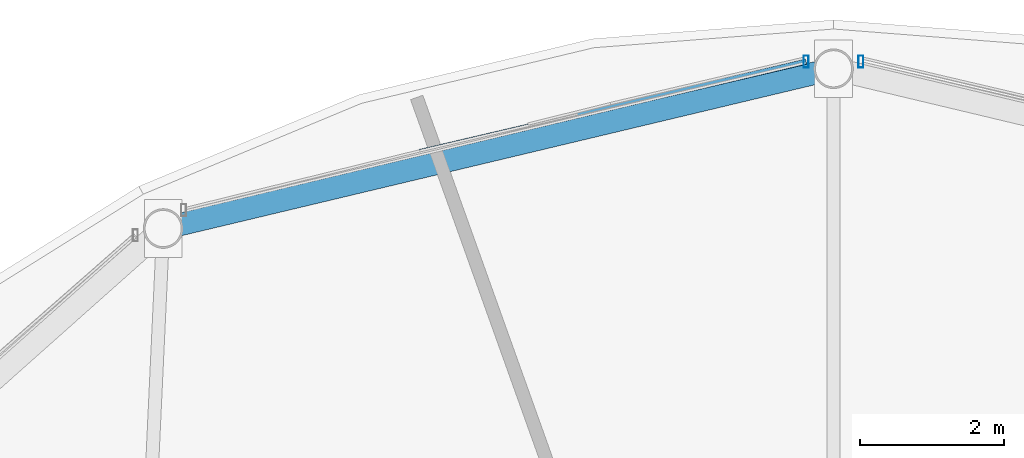
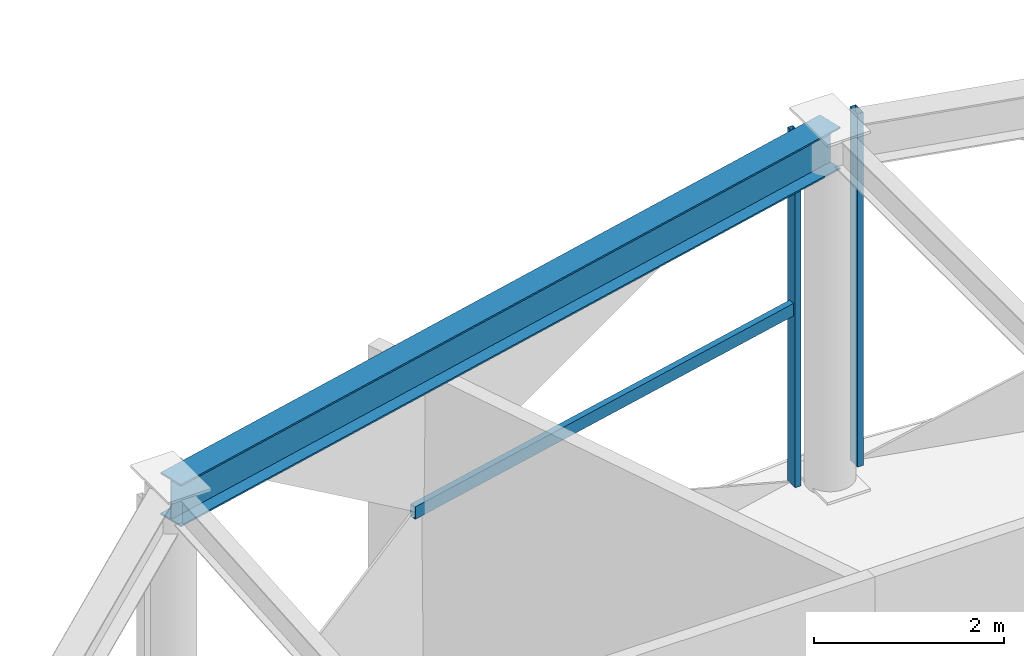
# One storey, part 14 of 22: 3 members, 1 beam, 2 elements without a shape of their own.
"""IFC4 building model written with IfcOpenShell, lengths in metres."""

from ifc_helpers import new_model, si_unit, direction, frame, origin, origin_2d, place, context, subcontext, project, spatial, hollow_rectangle, i_section, extrude, material, layer, layer_set, material_profile, profile_set, type_object, element, aggregate, save


model = new_model("IFC4")

# Units and contexts
model_context = context("Model", 3, precision=1e-05, world=origin(), true_north=direction((0.0, 1.0)))
body_context = subcontext(model_context, "Body", "Model", "MODEL_VIEW")
ifc_project = project(units=[si_unit("LENGTHUNIT", "METRE"), si_unit("AREAUNIT", "SQUARE_METRE"), si_unit("VOLUMEUNIT", "CUBIC_METRE"), si_unit("PLANEANGLEUNIT", "RADIAN"), si_unit("MASSUNIT", "GRAM", prefix="KILO")], contexts=[model_context])

# Site, building, storey
site_placement = place(None, origin())
site = spatial("IfcSite", under=ifc_project, at=site_placement, CompositionType="ELEMENT")
building_placement = place(site_placement, origin())
building = spatial("IfcBuilding", under=site, at=building_placement, Name="Vantalir Tower", CompositionType="ELEMENT")
storey_placement = place(building_placement, frame((0.0, 0.0, 294.89990234375)))
storey = spatial("IfcBuildingStorey", under=building, at=storey_placement, Name="L74", CompositionType="ELEMENT", Elevation=294.89990234375)

# Beam
ifc_material_1 = material(Name="Steel S460", Category="steel")
ifc_material_profile_1 = material_profile(ifc_material_1, i_section(OverallWidth=0.31201171875, OverallDepth=0.5419921875, WebThickness=0.0126953125, FlangeThickness=0.020263671875, at=origin_2d()), Name="Steel S460")
ifc_profile_set_1 = profile_set([ifc_material_profile_1], Name="Steel S460")
beam_type = type_object("IfcBeamType", Name="BM-RG-533x312", PredefinedType="USERDEFINED", material=ifc_profile_set_1)
beam_placement = place(storey_placement, frame((31.5, 41.511962890625, 4.34912109375), z_axis=(-0.972749896139, -0.231856937703, 0.0), x_axis=(0.231856937703, -0.972749896139, 0.0)))
element("IfcBeam", 1, at=beam_placement, inside=storey, type_object=beam_type, Name="L74 Circumferential Ring Girder 04", ObjectType="GIRDER", PredefinedType="USERDEFINED", context=body_context, shape_type="SweptSolid", body=[
    extrude(i_section(OverallWidth=0.31201171875, OverallDepth=0.5419921875, WebThickness=0.0126953125, FlangeThickness=0.020263671875, at=origin_2d()), origin(), (0.0, 0.0, 1.0), 9.5400390625),
])

# Curtain wall, member
ifc_material_2 = material(Name="Champagne-silver PVDF aluminium and double-silver Low-E glass", Category="aluminium")
ifc_layer = layer(ifc_material_2, 0.219970703125)
ifc_layer_set = layer_set([ifc_layer], Name="Champagne-silver PVDF aluminium and double-silver Low-E glass")
curtain_wall_type = type_object("IfcCurtainWallType", Name="CW-DIAMOND-Z4", PredefinedType="USERDEFINED", material=ifc_layer_set)
curtain_wall_1_placement = place(storey_placement, origin())
curtain_wall_1 = element("IfcCurtainWall", 2, at=curtain_wall_1_placement, inside=storey, type_object=curtain_wall_type, Name="L74 Quilted Pyramid-Diamond Curtain Wall S03", ObjectType="UNITISED CURTAIN WALL", PredefinedType="USERDEFINED")
ifc_material_3 = material(Name="Champagne-silver PVDF aluminium 6063-T6", Category="aluminium")
ifc_material_profile_2 = material_profile(ifc_material_3, hollow_rectangle(XDim=0.070068359375, YDim=0.1650390625, WallThickness=0.00390625, at=origin_2d()), Name="Champagne-silver PVDF aluminium 6063-T6")
ifc_profile_set_2 = profile_set([ifc_material_profile_2], Name="Champagne-silver PVDF aluminium 6063-T6")
member_type_1 = type_object("IfcMemberType", Name="CWM-165x70", PredefinedType="MULLION", material=ifc_profile_set_2)
member_1_placement = place(storey_placement, frame((31.87890625, 41.611083984375, 0.045166015625), z_axis=(0.0, 0.0, 1.0), x_axis=(1.0, 0.0, 0.0)))
member_1 = element("IfcMember", 3, at=member_1_placement, type_object=member_type_1, Name="CW-L74-S03 Mullion 2", PredefinedType="MULLION", context=body_context, shape_type="SweptSolid", body=[
    extrude(hollow_rectangle(XDim=0.070068359375, YDim=0.1650390625, WallThickness=0.00390625, at=origin_2d()), origin(), (0.0, 0.0, 1.0), 4.530029296875),
])
aggregate(curtain_wall_1, [member_1])

# Curtain wall, members
curtain_wall_2_placement = place(storey_placement, origin())
curtain_wall_2 = element("IfcCurtainWall", 4, at=curtain_wall_2_placement, inside=storey, type_object=curtain_wall_type, Name="L74 Quilted Pyramid-Diamond Curtain Wall S04", ObjectType="UNITISED CURTAIN WALL", PredefinedType="USERDEFINED")
member_2_placement = place(storey_placement, frame((31.12109375, 41.611083984375, 0.045166015625), z_axis=(0.0, 0.0, 1.0), x_axis=(1.0, 0.0, 0.0)))
member_2 = element("IfcMember", 5, at=member_2_placement, type_object=member_type_1, Name="CW-L74-S04 Mullion 1", PredefinedType="MULLION", context=body_context, shape_type="SweptSolid", body=[
    extrude(hollow_rectangle(XDim=0.070068359375, YDim=0.1650390625, WallThickness=0.00390625, at=origin_2d()), origin(), (0.0, 0.0, 1.0), 4.530029296875),
])
ifc_material_profile_3 = material_profile(ifc_material_3, hollow_rectangle(XDim=0.074951171875, YDim=0.159912109375, WallThickness=0.00390625, at=origin_2d()), Name="Champagne-silver PVDF aluminium 6063-T6")
ifc_profile_set_3 = profile_set([ifc_material_profile_3], Name="Champagne-silver PVDF aluminium 6063-T6")
member_type_2 = type_object("IfcMemberType", Name="CWT-160x75", PredefinedType="USERDEFINED", material=ifc_profile_set_3)
member_3_placement = place(storey_placement, frame((31.12109375, 41.611083984375, 2.31005859375), z_axis=(-0.973695518815, -0.227853103203, 0.0), x_axis=(0.227853103203, -0.973695518815, 0.0)))
member_3 = element("IfcMember", 6, at=member_3_placement, type_object=member_type_2, Name="CW-L74-S04 Pyramid Fold Ridge Transom", ObjectType="TRANSOM", PredefinedType="USERDEFINED", context=body_context, shape_type="SweptSolid", body=[
    extrude(hollow_rectangle(XDim=0.074951171875, YDim=0.159912109375, WallThickness=0.00390625, at=origin_2d()), origin(), (0.0, 0.0, 1.0), 5.49560546875),
])
aggregate(curtain_wall_2, [member_2, member_3])

save(model, "model.ifc")
